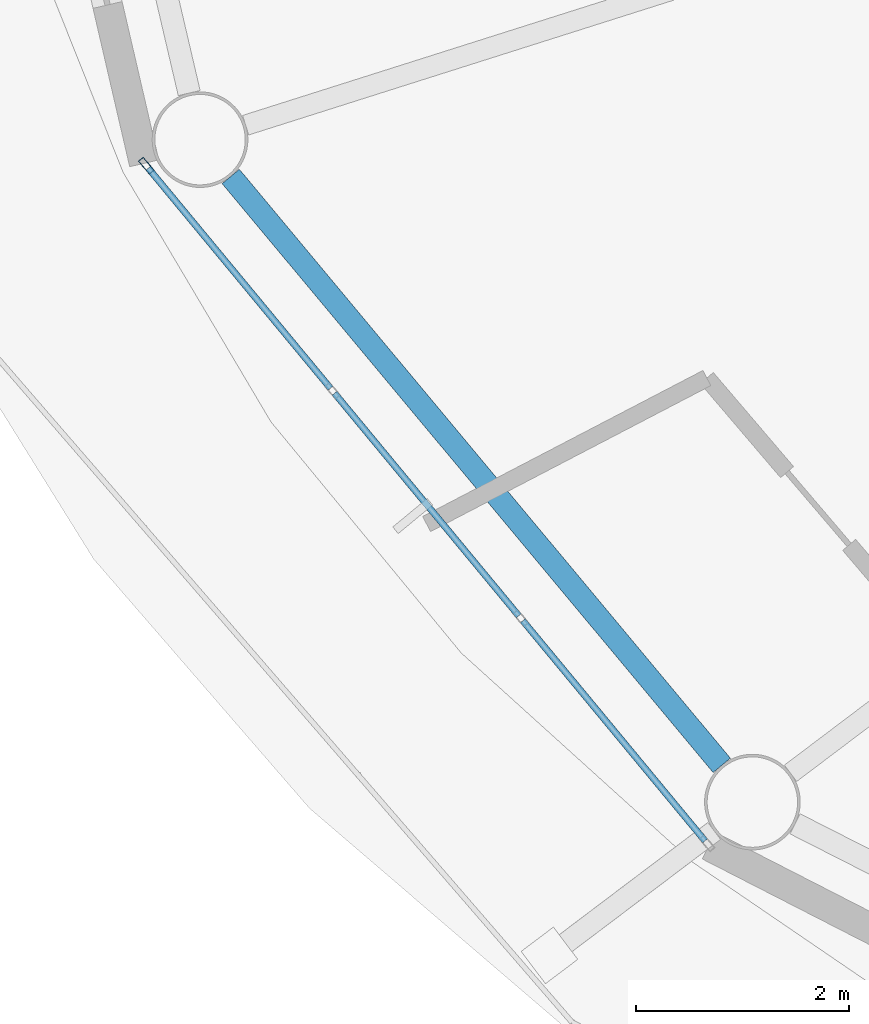
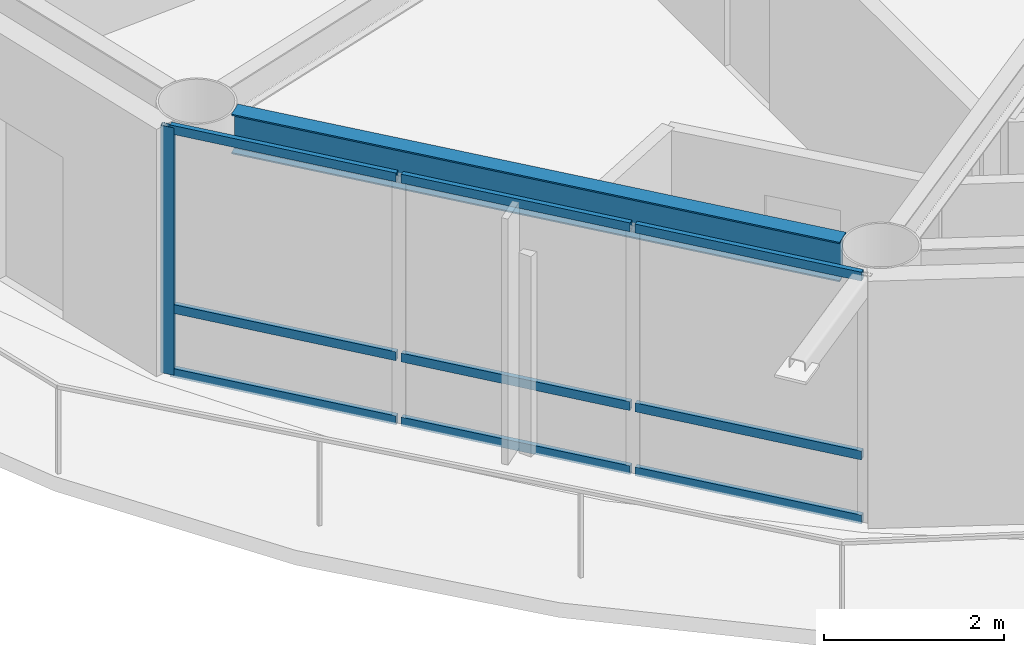
# One storey, part 3 of 23: 10 members, 1 beam, 1 element without a shape of its own.
"""IFC4 building model written with IfcOpenShell, lengths in metres."""

from ifc_helpers import new_model, si_unit, direction, frame, origin, origin_2d, place, context, subcontext, project, spatial, hollow_rectangle, i_section, extrude, material, layer, layer_set, material_profile, profile_set, type_object, element, aggregate, save


model = new_model("IFC4")

# Units and contexts
model_context = context("Model", 3, precision=1e-05, world=origin(), true_north=direction((0.0, 1.0)))
body_context = subcontext(model_context, "Body", "Model", "MODEL_VIEW")
ifc_project = project(units=[si_unit("LENGTHUNIT", "METRE"), si_unit("AREAUNIT", "SQUARE_METRE"), si_unit("VOLUMEUNIT", "CUBIC_METRE"), si_unit("PLANEANGLEUNIT", "RADIAN"), si_unit("MASSUNIT", "GRAM", prefix="KILO")], contexts=[model_context])

# Site, building, storey
site_placement = place(None, origin())
site = spatial("IfcSite", under=ifc_project, at=site_placement, CompositionType="ELEMENT")
building_placement = place(site_placement, origin())
building = spatial("IfcBuilding", under=site, at=building_placement, Name="Sarneth Arch Tower", CompositionType="ELEMENT")
storey_placement = place(building_placement, frame((0.0, 0.0, 224.39990234375)))
storey = spatial("IfcBuildingStorey", under=building, at=storey_placement, Name="L57", CompositionType="ELEMENT", Elevation=224.39990234375)

# Beam
ifc_material_1 = material(Name="Steel S355", Category="steel")
ifc_material_profile_1 = material_profile(ifc_material_1, i_section(OverallWidth=0.2109375, OverallDepth=0.5390625, WebThickness=0.01171875, FlangeThickness=0.018798828125, FilletRadius=0.01806640625, at=origin_2d()), Name="W530x109")
ifc_profile_set_1 = profile_set([ifc_material_profile_1], Name="Steel S355")
beam_type = type_object("IfcBeamType", Name="BM-RAD-530B", PredefinedType="BEAM", material=ifc_profile_set_1)
beam_placement = place(storey_placement, frame((25.119384765625, 34.306884765625, 3.090576171875), z_axis=(0.640390876881, -0.768049168222, 0.0), x_axis=(0.768049168222, 0.640390876881, 0.0)))
element("IfcBeam", 1, at=beam_placement, inside=storey, type_object=beam_type, Name="L57 Perimeter spandrel beam 10", PredefinedType="BEAM", context=body_context, shape_type="SweptSolid", body=[
    extrude(i_section(OverallWidth=0.2109375, OverallDepth=0.5390625, WebThickness=0.01171875, FlangeThickness=0.018798828125, FilletRadius=0.01806640625, at=origin_2d()), origin(), (0.0, 0.0, 1.0), 7.2099609375),
])

# Curtain wall, members
ifc_material_2 = material(Name="Anodised aluminium Type AA25 and solar-control low-e laminated IGU", Category="aluminium")
ifc_layer = layer(ifc_material_2, 0.179931640625)
ifc_layer_set = layer_set([ifc_layer], Name="Anodised aluminium Type AA25 and solar-control low-e laminated IGU")
curtain_wall_type = type_object("IfcCurtainWallType", Name="CW-RES-HIGH", PredefinedType="NOTDEFINED", material=ifc_layer_set)
curtain_wall_placement = place(storey_placement, origin())
curtain_wall = element("IfcCurtainWall", 2, at=curtain_wall_placement, inside=storey, type_object=curtain_wall_type, Name="L57 Unitised curtain wall facet 10", PredefinedType="NOTDEFINED")
ifc_material_3 = material(Name="Anodised Aluminium 6063-T6", Category="aluminium")
ifc_material_profile_2 = material_profile(ifc_material_3, hollow_rectangle(XDim=0.06005859375, YDim=0.159912109375, WallThickness=0.00390625, at=origin_2d()), Name="AL-MULL-160x60x4")
ifc_profile_set_2 = profile_set([ifc_material_profile_2], Name="Anodised Aluminium 6063-T6")
member_type_1 = type_object("IfcMemberType", Name="CW-MULLION", PredefinedType="MULLION", material=ifc_profile_set_2)
member_1_placement = place(storey_placement, frame((24.325439453125, 34.407470703125, 0.0), z_axis=(0.0, 0.0, 1.0), x_axis=(0.770359245933, 0.637610094184, 0.0)))
member_1 = element("IfcMember", 3, at=member_1_placement, type_object=member_type_1, Name="CW-SYS-6 mullion 1", PredefinedType="MULLION", context=body_context, shape_type="SweptSolid", body=[
    extrude(hollow_rectangle(XDim=0.06005859375, YDim=0.159912109375, WallThickness=0.00390625, at=origin_2d()), origin(), (0.0, 0.0, 1.0), 3.360107421875),
])
ifc_material_4 = material(Name="Anodised Aluminium 6063-T6", Category="aluminium")
ifc_material_profile_3 = material_profile(ifc_material_4, hollow_rectangle(XDim=0.06005859375, YDim=0.1201171875, WallThickness=0.00390625, at=origin_2d()), Name="AL-TRAN-120x60x4")
ifc_profile_set_3 = profile_set([ifc_material_profile_3], Name="Anodised Aluminium 6063-T6")
member_type_2 = type_object("IfcMemberType", Name="CW-TRANSOM", PredefinedType="USERDEFINED", material=ifc_profile_set_3)
member_2_placement = place(storey_placement, frame((24.344482421875, 34.38427734375, 0.030029296875), z_axis=(0.637651400067, -0.770325056059, 0.0), x_axis=(0.770325056059, 0.637651400067, 0.0)))
member_2 = element("IfcMember", 4, at=member_2_placement, type_object=member_type_2, Name="CW-SYS-6 transom 1.1", ObjectType="TRANSOM", PredefinedType="USERDEFINED", context=body_context, shape_type="SweptSolid", body=[
    extrude(hollow_rectangle(XDim=0.06005859375, YDim=0.1201171875, WallThickness=0.00390625, at=origin_2d()), origin(), (0.0, 0.0, 1.0), 2.6865234375),
])
member_3_placement = place(storey_placement, frame((24.344482421875, 34.38427734375, 0.900146484375), z_axis=(0.637651400067, -0.770325056059, 0.0), x_axis=(0.770325056059, 0.637651400067, 0.0)))
member_3 = element("IfcMember", 5, at=member_3_placement, type_object=member_type_2, Name="CW-SYS-6 transom 1.2", ObjectType="TRANSOM", PredefinedType="USERDEFINED", context=body_context, shape_type="SweptSolid", body=[
    extrude(hollow_rectangle(XDim=0.06005859375, YDim=0.1201171875, WallThickness=0.00390625, at=origin_2d()), origin(), (0.0, 0.0, 1.0), 2.6865234375),
])
member_4_placement = place(storey_placement, frame((24.344482421875, 34.38427734375, 3.330078125), z_axis=(0.637651400067, -0.770325056059, 0.0), x_axis=(0.770325056059, 0.637651400067, 0.0)))
member_4 = element("IfcMember", 6, at=member_4_placement, type_object=member_type_2, Name="CW-SYS-6 transom 1.3", ObjectType="TRANSOM", PredefinedType="USERDEFINED", context=body_context, shape_type="SweptSolid", body=[
    extrude(hollow_rectangle(XDim=0.06005859375, YDim=0.1201171875, WallThickness=0.00390625, at=origin_2d()), origin(), (0.0, 0.0, 1.0), 2.6865234375),
])
member_5_placement = place(storey_placement, frame((26.095703125, 32.268310546875, 0.030029296875), z_axis=(0.637617371902, -0.770353222261, 0.0), x_axis=(0.770353222261, 0.637617371902, 0.0)))
member_5 = element("IfcMember", 7, at=member_5_placement, type_object=member_type_2, Name="CW-SYS-6 transom 2.1", ObjectType="TRANSOM", PredefinedType="USERDEFINED", context=body_context, shape_type="SweptSolid", body=[
    extrude(hollow_rectangle(XDim=0.06005859375, YDim=0.1201171875, WallThickness=0.00390625, at=origin_2d()), origin(), (0.0, 0.0, 1.0), 2.716552734375),
])
member_6_placement = place(storey_placement, frame((26.095703125, 32.268310546875, 0.900146484375), z_axis=(0.637617371902, -0.770353222261, 0.0), x_axis=(0.770353222261, 0.637617371902, 0.0)))
member_6 = element("IfcMember", 8, at=member_6_placement, type_object=member_type_2, Name="CW-SYS-6 transom 2.2", ObjectType="TRANSOM", PredefinedType="USERDEFINED", context=body_context, shape_type="SweptSolid", body=[
    extrude(hollow_rectangle(XDim=0.06005859375, YDim=0.1201171875, WallThickness=0.00390625, at=origin_2d()), origin(), (0.0, 0.0, 1.0), 2.716552734375),
])
member_7_placement = place(storey_placement, frame((26.095703125, 32.268310546875, 3.330078125), z_axis=(0.637617371902, -0.770353222261, 0.0), x_axis=(0.770353222261, 0.637617371902, 0.0)))
member_7 = element("IfcMember", 9, at=member_7_placement, type_object=member_type_2, Name="CW-SYS-6 transom 2.3", ObjectType="TRANSOM", PredefinedType="USERDEFINED", context=body_context, shape_type="SweptSolid", body=[
    extrude(hollow_rectangle(XDim=0.06005859375, YDim=0.1201171875, WallThickness=0.00390625, at=origin_2d()), origin(), (0.0, 0.0, 1.0), 2.716552734375),
])
member_8_placement = place(storey_placement, frame((27.8662109375, 30.12939453125, 0.030029296875), z_axis=(0.637606765719, -0.770362000821, 0.0), x_axis=(0.770362000821, 0.637606765719, 0.0)))
member_8 = element("IfcMember", 10, at=member_8_placement, type_object=member_type_2, Name="CW-SYS-6 transom 3.1", ObjectType="TRANSOM", PredefinedType="USERDEFINED", context=body_context, shape_type="SweptSolid", body=[
    extrude(hollow_rectangle(XDim=0.06005859375, YDim=0.1201171875, WallThickness=0.00390625, at=origin_2d()), origin(), (0.0, 0.0, 1.0), 2.686767578125),
])
member_9_placement = place(storey_placement, frame((27.8662109375, 30.12939453125, 0.900146484375), z_axis=(0.637606765719, -0.770362000821, 0.0), x_axis=(0.770362000821, 0.637606765719, 0.0)))
member_9 = element("IfcMember", 11, at=member_9_placement, type_object=member_type_2, Name="CW-SYS-6 transom 3.2", ObjectType="TRANSOM", PredefinedType="USERDEFINED", context=body_context, shape_type="SweptSolid", body=[
    extrude(hollow_rectangle(XDim=0.06005859375, YDim=0.1201171875, WallThickness=0.00390625, at=origin_2d()), origin(), (0.0, 0.0, 1.0), 2.686767578125),
])
member_10_placement = place(storey_placement, frame((27.8662109375, 30.12939453125, 3.330078125), z_axis=(0.637606765719, -0.770362000821, 0.0), x_axis=(0.770362000821, 0.637606765719, 0.0)))
member_10 = element("IfcMember", 12, at=member_10_placement, type_object=member_type_2, Name="CW-SYS-6 transom 3.3", ObjectType="TRANSOM", PredefinedType="USERDEFINED", context=body_context, shape_type="SweptSolid", body=[
    extrude(hollow_rectangle(XDim=0.06005859375, YDim=0.1201171875, WallThickness=0.00390625, at=origin_2d()), origin(), (0.0, 0.0, 1.0), 2.686767578125),
])
aggregate(curtain_wall, [member_1, member_2, member_3, member_4, member_5, member_6, member_7, member_8, member_9, member_10])

save(model, "model.ifc")
